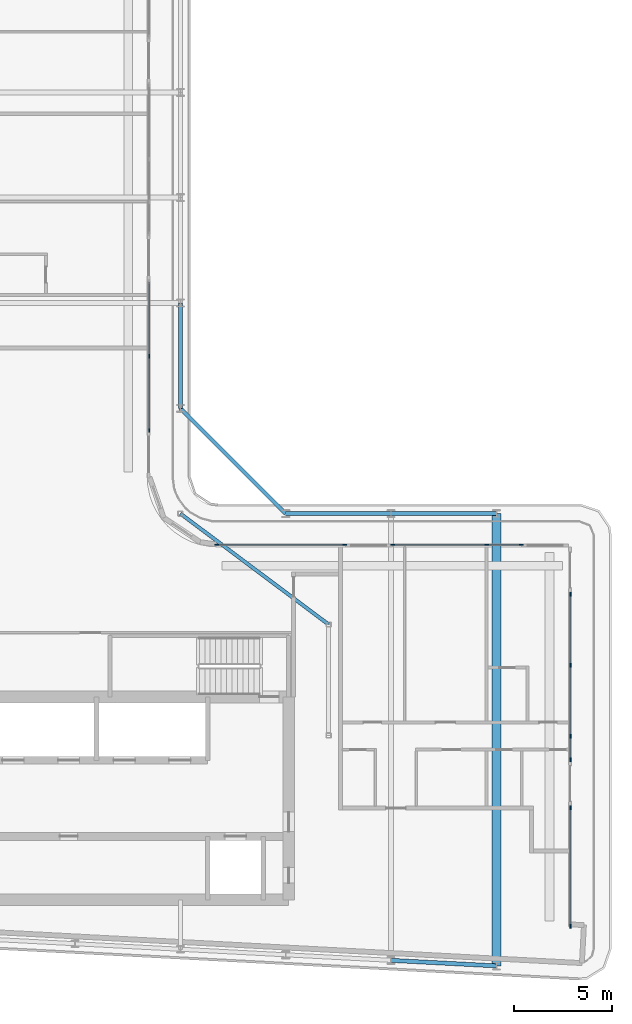
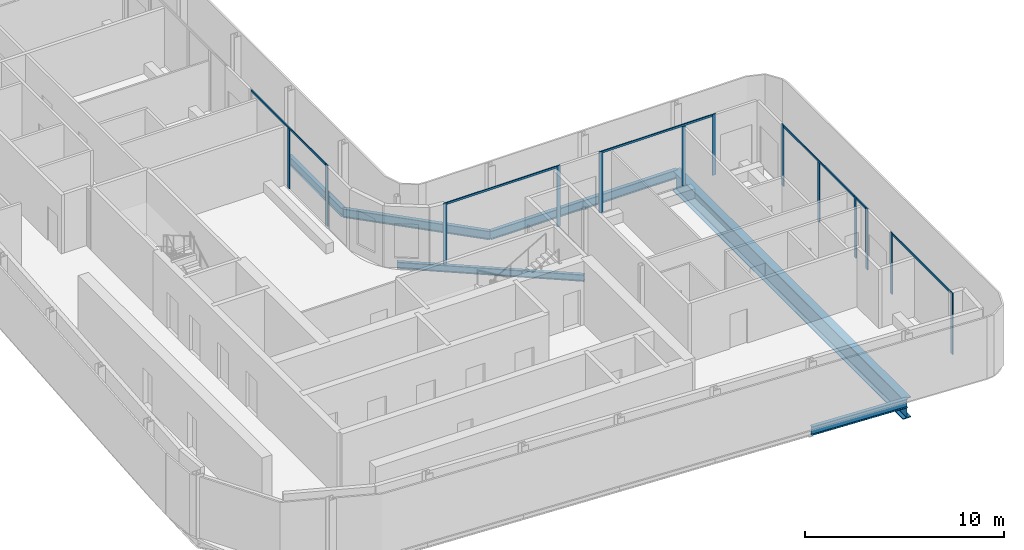
# One storey, part 6 of 21: 19 members, 7 beams, 6 elements without a shape of their own.
"""IFC4 building model written with IfcOpenShell, lengths in metres."""

from ifc_helpers import new_model, si_unit, direction, frame, origin, origin_2d, place, context, subcontext, project, spatial, rectangle, i_section, extrude, material, layer, layer_set, material_profile, profile_set, type_object, element, aggregate, save


model = new_model("IFC4")

# Units and contexts
model_context = context("Model", 3, precision=1e-05, world=origin(), true_north=direction((0.0, 1.0)))
body_context = subcontext(model_context, "Body", "Model", "MODEL_VIEW")
ifc_project = project(units=[si_unit("LENGTHUNIT", "METRE"), si_unit("AREAUNIT", "SQUARE_METRE"), si_unit("VOLUMEUNIT", "CUBIC_METRE"), si_unit("PLANEANGLEUNIT", "RADIAN"), si_unit("MASSUNIT", "GRAM", prefix="KILO")], contexts=[model_context])

# Site, building, storey
site_placement = place(None, origin())
site = spatial("IfcSite", under=ifc_project, at=site_placement, CompositionType="ELEMENT")
building_placement = place(site_placement, origin())
building = spatial("IfcBuilding", under=site, at=building_placement, Name="Kheshtan School and Residences Tower", CompositionType="ELEMENT")
storey_placement = place(building_placement, frame((0.0, 0.0, 298.10009765625)))
storey = spatial("IfcBuildingStorey", under=building, at=storey_placement, Name="L70", CompositionType="ELEMENT", Elevation=298.10009765625)

# Beams
ifc_material_1 = material(Name="Steel ASTM A992 Grade 50", Category="steel")
ifc_material_profile_1 = material_profile(ifc_material_1, i_section(OverallWidth=0.180908203125, OverallDepth=0.4169921875, WebThickness=0.010986328125, FlangeThickness=0.018310546875, FilletRadius=0.012451171875, at=origin_2d()), Name="W410x85")
ifc_profile_set_1 = profile_set([ifc_material_profile_1], Name="Steel ASTM A992 Grade 50")
beam_type_1 = type_object("IfcBeamType", Name="Beam FB3 W410x85 ASTM A992 Grade 50", PredefinedType="BEAM", material=ifc_profile_set_1)
beam_1_placement = place(storey_placement, frame((47.60009765625, 45.60009765625, -0.358642578125), z_axis=(0.800798828004, -0.598933416222, 0.0), x_axis=(0.598933416222, 0.800798828004, 0.0)))
element("IfcBeam", 1, at=beam_1_placement, inside=storey, type_object=beam_type_1, Name="Floor beam IC", PredefinedType="BEAM", context=body_context, shape_type="SweptSolid", body=[
    extrude(i_section(OverallWidth=0.180908203125, OverallDepth=0.4169921875, WebThickness=0.010986328125, FlangeThickness=0.018310546875, FilletRadius=0.012451171875, at=origin_2d()), origin(), (0.0, 0.0, 1.0), 9.490234375),
])
ifc_material_profile_2 = material_profile(ifc_material_1, i_section(OverallWidth=0.208984375, OverallDepth=0.532958984375, WebThickness=0.01025390625, FlangeThickness=0.015625, FilletRadius=0.013916015625, at=origin_2d()), Name="W530x92")
ifc_profile_set_2 = profile_set([ifc_material_profile_2], Name="Steel ASTM A992 Grade 50")
beam_type_2 = type_object("IfcBeamType", Name="Beam SP3 W530x92 ASTM A992 Grade 50", PredefinedType="BEAM", material=ifc_profile_set_2)
beam_2_placement = place(storey_placement, frame((47.60009765625, 56.39990234375, -0.41650390625), z_axis=(0.0, -1.0, 0.0), x_axis=(1.0, 0.0, 0.0)))
element("IfcBeam", 2, at=beam_2_placement, inside=storey, type_object=beam_type_2, Name="Spandrel beam C081-C079", PredefinedType="BEAM", context=body_context, shape_type="SweptSolid", body=[
    extrude(i_section(OverallWidth=0.208984375, OverallDepth=0.532958984375, WebThickness=0.01025390625, FlangeThickness=0.015625, FilletRadius=0.013916015625, at=origin_2d()), origin(), (0.0, 0.0, 1.0), 5.39990234375),
])
beam_3_placement = place(storey_placement, frame((47.60009765625, 51.0, -0.41650390625), z_axis=(0.707106781187, -0.707106781187, 0.0), x_axis=(0.707106781187, 0.707106781187, 0.0)))
element("IfcBeam", 3, at=beam_3_placement, inside=storey, type_object=beam_type_2, Name="Spandrel beam C079-C061", PredefinedType="BEAM", context=body_context, shape_type="SweptSolid", body=[
    extrude(i_section(OverallWidth=0.208984375, OverallDepth=0.532958984375, WebThickness=0.01025390625, FlangeThickness=0.015625, FilletRadius=0.013916015625, at=origin_2d()), origin(), (0.0, 0.0, 1.0), 7.63671875),
])
beam_4_placement = place(storey_placement, frame((53.0, 45.60009765625, -0.41650390625), z_axis=(1.0, 0.0, 0.0), x_axis=(0.0, 1.0, 0.0)))
element("IfcBeam", 4, at=beam_4_placement, inside=storey, type_object=beam_type_2, Name="Spandrel beam C061-C062", PredefinedType="BEAM", context=body_context, shape_type="SweptSolid", body=[
    extrude(i_section(OverallWidth=0.208984375, OverallDepth=0.532958984375, WebThickness=0.01025390625, FlangeThickness=0.015625, FilletRadius=0.013916015625, at=origin_2d()), origin(), (0.0, 0.0, 1.0), 5.39990234375),
])
beam_5_placement = place(storey_placement, frame((58.39990234375, 45.60009765625, -0.41650390625), z_axis=(1.0, 0.0, 0.0), x_axis=(0.0, 1.0, 0.0)))
element("IfcBeam", 5, at=beam_5_placement, inside=storey, type_object=beam_type_2, Name="Spandrel beam C062-C063", PredefinedType="BEAM", context=body_context, shape_type="SweptSolid", body=[
    extrude(i_section(OverallWidth=0.208984375, OverallDepth=0.532958984375, WebThickness=0.01025390625, FlangeThickness=0.015625, FilletRadius=0.013916015625, at=origin_2d()), origin(), (0.0, 0.0, 1.0), 5.400146484375),
])
beam_6_placement = place(storey_placement, frame((63.800048828125, 22.410888671875, -0.41650390625), z_axis=(-0.998618203458, 0.052551724256, 0.0), x_axis=(-0.052551724256, -0.998618203458, 0.0)))
element("IfcBeam", 6, at=beam_6_placement, inside=storey, type_object=beam_type_2, Name="Spandrel beam C016-C018", PredefinedType="BEAM", context=body_context, shape_type="SweptSolid", body=[
    extrude(i_section(OverallWidth=0.208984375, OverallDepth=0.532958984375, WebThickness=0.01025390625, FlangeThickness=0.015625, FilletRadius=0.013916015625, at=origin_2d()), origin(), (0.0, 0.0, 1.0), 5.40771484375),
])

# Curtain wall, members
ifc_material_2 = material(Name="Clear low-e glass in thermally broken aluminium frame", Category="aluminium")
ifc_layer = layer(ifc_material_2, 0.199951171875)
ifc_layer_set = layer_set([ifc_layer], Name="Curtain wall CW-L")
curtain_wall_type = type_object("IfcCurtainWallType", Name="Curtain wall CW-L", PredefinedType="NOTDEFINED", material=ifc_layer_set)
curtain_wall_1_placement = place(storey_placement, origin())
curtain_wall_1 = element("IfcCurtainWall", 7, at=curtain_wall_1_placement, inside=storey, type_object=curtain_wall_type, Name="Curtain wall CWL8", PredefinedType="NOTDEFINED")
ifc_material_3 = material(Name="Thermally broken aluminium, dark bronze anodised", Category="aluminium")
ifc_material_profile_3 = material_profile(ifc_material_3, rectangle(XDim=0.06005859375, YDim=0.199951171875, at=origin_2d()), Name="CW-L mullion 60x200")
ifc_profile_set_3 = profile_set([ifc_material_profile_3], Name="Thermally broken aluminium, dark bronze anodised")
member_type_1 = type_object("IfcMemberType", Name="CW-L mullion 60x200", PredefinedType="MULLION", material=ifc_profile_set_3)
member_1_placement = place(storey_placement, frame((46.0, 53.677001953125, 0.0), z_axis=(0.0, 0.0, 1.0), x_axis=(1.0, 0.0, 0.0)))
member_1 = element("IfcMember", 8, at=member_1_placement, type_object=member_type_1, Name="CWL8 mullion 2", PredefinedType="MULLION", context=body_context, shape_type="SweptSolid", body=[
    extrude(rectangle(XDim=0.06005859375, YDim=0.199951171875, at=origin_2d()), origin(), (0.0, 0.0, 1.0), 3.6298828125),
])
member_2_placement = place(storey_placement, frame((46.0, 49.860107421875, 0.0), z_axis=(0.0, 0.0, 1.0), x_axis=(1.0, 0.0, 0.0)))
member_2 = element("IfcMember", 9, at=member_2_placement, type_object=member_type_1, Name="CWL8 mullion 3", PredefinedType="MULLION", context=body_context, shape_type="SweptSolid", body=[
    extrude(rectangle(XDim=0.06005859375, YDim=0.199951171875, at=origin_2d()), origin(), (0.0, 0.0, 1.0), 3.75),
])

curtain_wall_2_placement = place(storey_placement, origin())
curtain_wall_2 = element("IfcCurtainWall", 10, at=curtain_wall_2_placement, inside=storey, type_object=curtain_wall_type, Name="Curtain wall CWL1233", PredefinedType="NOTDEFINED")
member_3_placement = place(storey_placement, frame((49.4599609375, 44.0, 0.0), z_axis=(0.0, 0.0, 1.0), x_axis=(0.0, 1.0, 0.0)))
member_3 = element("IfcMember", 11, at=member_3_placement, type_object=member_type_1, Name="CWL1233 mullion 1", PredefinedType="MULLION", context=body_context, shape_type="SweptSolid", body=[
    extrude(rectangle(XDim=0.06005859375, YDim=0.199951171875, at=origin_2d()), origin(), (0.0, 0.0, 1.0), 3.75),
])
member_4_placement = place(storey_placement, frame((56.034912109375, 44.0, 0.0), z_axis=(0.0, 0.0, 1.0), x_axis=(0.0, 1.0, 0.0)))
member_4 = element("IfcMember", 12, at=member_4_placement, type_object=member_type_1, Name="CWL1233 mullion 2", PredefinedType="MULLION", context=body_context, shape_type="SweptSolid", body=[
    extrude(rectangle(XDim=0.06005859375, YDim=0.199951171875, at=origin_2d()), origin(), (0.0, 0.0, 1.0), 3.75),
])

curtain_wall_3_placement = place(storey_placement, origin())
curtain_wall_3 = element("IfcCurtainWall", 13, at=curtain_wall_3_placement, inside=storey, type_object=curtain_wall_type, Name="Curtain wall CWL1234", PredefinedType="NOTDEFINED")
member_5_placement = place(storey_placement, frame((58.4951171875, 44.0, 0.0), z_axis=(0.0, 0.0, 1.0), x_axis=(0.0, 1.0, 0.0)))
member_5 = element("IfcMember", 14, at=member_5_placement, type_object=member_type_1, Name="CWL1234 mullion 1", PredefinedType="MULLION", context=body_context, shape_type="SweptSolid", body=[
    extrude(rectangle(XDim=0.06005859375, YDim=0.199951171875, at=origin_2d()), origin(), (0.0, 0.0, 1.0), 3.75),
])
member_6_placement = place(storey_placement, frame((63.300048828125, 44.0, 0.0), z_axis=(0.0, 0.0, 1.0), x_axis=(0.0, 1.0, 0.0)))
member_6 = element("IfcMember", 15, at=member_6_placement, type_object=member_type_1, Name="CWL1234 mullion 2", PredefinedType="MULLION", context=body_context, shape_type="SweptSolid", body=[
    extrude(rectangle(XDim=0.06005859375, YDim=0.199951171875, at=origin_2d()), origin(), (0.0, 0.0, 1.0), 3.6298828125),
])
member_7_placement = place(storey_placement, frame((65.070068359375, 44.0, 0.0), z_axis=(0.0, 0.0, 1.0), x_axis=(0.0, 1.0, 0.0)))
member_7 = element("IfcMember", 16, at=member_7_placement, type_object=member_type_1, Name="CWL1234 mullion 3", PredefinedType="MULLION", context=body_context, shape_type="SweptSolid", body=[
    extrude(rectangle(XDim=0.06005859375, YDim=0.199951171875, at=origin_2d()), origin(), (0.0, 0.0, 1.0), 3.75),
])

curtain_wall_4_placement = place(storey_placement, origin())
curtain_wall_4 = element("IfcCurtainWall", 17, at=curtain_wall_4_placement, inside=storey, type_object=curtain_wall_type, Name="Curtain wall CWL13e", PredefinedType="NOTDEFINED")
member_8_placement = place(storey_placement, frame((67.60009765625, 41.469970703125, 0.0), z_axis=(0.0, 0.0, 1.0), x_axis=(1.0, 0.0, 0.0)))
member_8 = element("IfcMember", 18, at=member_8_placement, type_object=member_type_1, Name="CWL13e mullion 1", PredefinedType="MULLION", context=body_context, shape_type="SweptSolid", body=[
    extrude(rectangle(XDim=0.06005859375, YDim=0.199951171875, at=origin_2d()), origin(), (0.0, 0.0, 1.0), 3.75),
])
member_9_placement = place(storey_placement, frame((67.60009765625, 37.829833984375, 0.0), z_axis=(0.0, 0.0, 1.0), x_axis=(1.0, 0.0, 0.0)))
member_9 = element("IfcMember", 19, at=member_9_placement, type_object=member_type_1, Name="CWL13e mullion 2", PredefinedType="MULLION", context=body_context, shape_type="SweptSolid", body=[
    extrude(rectangle(XDim=0.06005859375, YDim=0.199951171875, at=origin_2d()), origin(), (0.0, 0.0, 1.0), 3.6298828125),
])
member_10_placement = place(storey_placement, frame((67.60009765625, 34.189453125, 0.0), z_axis=(0.0, 0.0, 1.0), x_axis=(1.0, 0.0, 0.0)))
member_10 = element("IfcMember", 20, at=member_10_placement, type_object=member_type_1, Name="CWL13e mullion 3", PredefinedType="MULLION", context=body_context, shape_type="SweptSolid", body=[
    extrude(rectangle(XDim=0.06005859375, YDim=0.199951171875, at=origin_2d()), origin(), (0.0, 0.0, 1.0), 3.75),
])

# Curtain wall, member
curtain_wall_5_placement = place(storey_placement, origin())
curtain_wall_5 = element("IfcCurtainWall", 21, at=curtain_wall_5_placement, inside=storey, type_object=curtain_wall_type, Name="Curtain wall CWL13f", PredefinedType="NOTDEFINED")
member_11_placement = place(storey_placement, frame((67.60009765625, 32.989501953125, 0.0), z_axis=(0.0, 0.0, 1.0), x_axis=(1.0, 0.0, 0.0)))
member_11 = element("IfcMember", 22, at=member_11_placement, type_object=member_type_1, Name="CWL13f mullion 2", PredefinedType="MULLION", context=body_context, shape_type="SweptSolid", body=[
    extrude(rectangle(XDim=0.06005859375, YDim=0.199951171875, at=origin_2d()), origin(), (0.0, 0.0, 1.0), 3.75),
])

# Curtain wall, members
curtain_wall_6_placement = place(storey_placement, origin())
curtain_wall_6 = element("IfcCurtainWall", 23, at=curtain_wall_6_placement, inside=storey, type_object=curtain_wall_type, Name="Curtain wall CWL13g", PredefinedType="NOTDEFINED")
member_12_placement = place(storey_placement, frame((67.60009765625, 30.529541015625, 0.0), z_axis=(0.0, 0.0, 1.0), x_axis=(1.0, 0.0, 0.0)))
member_12 = element("IfcMember", 24, at=member_12_placement, type_object=member_type_1, Name="CWL13g mullion 1", PredefinedType="MULLION", context=body_context, shape_type="SweptSolid", body=[
    extrude(rectangle(XDim=0.06005859375, YDim=0.199951171875, at=origin_2d()), origin(), (0.0, 0.0, 1.0), 3.75),
])
member_13_placement = place(storey_placement, frame((67.60009765625, 24.448974609375, 0.0), z_axis=(0.0, 0.0, 1.0), x_axis=(1.0, 0.0, 0.0)))
member_13 = element("IfcMember", 25, at=member_13_placement, type_object=member_type_1, Name="CWL13g mullion 2", PredefinedType="MULLION", context=body_context, shape_type="SweptSolid", body=[
    extrude(rectangle(XDim=0.06005859375, YDim=0.199951171875, at=origin_2d()), origin(), (0.0, 0.0, 1.0), 3.75),
])

# Member
ifc_material_profile_4 = material_profile(ifc_material_3, rectangle(XDim=0.06005859375, YDim=0.1201171875, at=origin_2d()), Name="CW-L transom 60x120")
ifc_profile_set_4 = profile_set([ifc_material_profile_4], Name="Thermally broken aluminium, dark bronze anodised")
member_type_2 = type_object("IfcMemberType", Name="CW-L transom 60x120", PredefinedType="USERDEFINED", material=ifc_profile_set_4)
member_14_placement = place(storey_placement, frame((46.0, 57.464111328125, 3.68994140625), z_axis=(0.0, -1.0, 0.0), x_axis=(1.0, 0.0, 0.0)))
member_14 = element("IfcMember", 26, at=member_14_placement, type_object=member_type_2, Name="CWL8 transom 1", ObjectType="TRANSOM", PredefinedType="USERDEFINED", context=body_context, shape_type="SweptSolid", body=[
    extrude(rectangle(XDim=0.06005859375, YDim=0.1201171875, at=origin_2d()), origin(), (0.0, 0.0, 1.0), 7.57421875),
])

aggregate(curtain_wall_1, [member_1, member_2, member_14])

member_15_placement = place(storey_placement, frame((49.489990234375, 44.0, 3.68994140625), z_axis=(1.0, 0.0, 0.0), x_axis=(0.0, 1.0, 0.0)))
member_15 = element("IfcMember", 27, at=member_15_placement, type_object=member_type_2, Name="CWL1233 transom 1", ObjectType="TRANSOM", PredefinedType="USERDEFINED", context=body_context, shape_type="SweptSolid", body=[
    extrude(rectangle(XDim=0.06005859375, YDim=0.1201171875, at=origin_2d()), origin(), (0.0, 0.0, 1.0), 6.514892578125),
])

aggregate(curtain_wall_2, [member_3, member_4, member_15])

member_16_placement = place(storey_placement, frame((58.52490234375, 44.0, 3.68994140625), z_axis=(1.0, 0.0, 0.0), x_axis=(0.0, 1.0, 0.0)))
member_16 = element("IfcMember", 28, at=member_16_placement, type_object=member_type_2, Name="CWL1234 transom 1", ObjectType="TRANSOM", PredefinedType="USERDEFINED", context=body_context, shape_type="SweptSolid", body=[
    extrude(rectangle(XDim=0.06005859375, YDim=0.1201171875, at=origin_2d()), origin(), (0.0, 0.0, 1.0), 6.51513671875),
])

aggregate(curtain_wall_3, [member_5, member_6, member_7, member_16])

member_17_placement = place(storey_placement, frame((67.60009765625, 41.43994140625, 3.68994140625), z_axis=(0.0, -1.0, 0.0), x_axis=(1.0, 0.0, 0.0)))
member_17 = element("IfcMember", 29, at=member_17_placement, type_object=member_type_2, Name="CWL13e transom 1", ObjectType="TRANSOM", PredefinedType="USERDEFINED", context=body_context, shape_type="SweptSolid", body=[
    extrude(rectangle(XDim=0.06005859375, YDim=0.1201171875, at=origin_2d()), origin(), (0.0, 0.0, 1.0), 7.220458984375),
])

aggregate(curtain_wall_4, [member_8, member_9, member_10, member_17])

member_18_placement = place(storey_placement, frame((67.60009765625, 34.159423828125, 3.68994140625), z_axis=(0.0, -1.0, 0.0), x_axis=(1.0, 0.0, 0.0)))
member_18 = element("IfcMember", 30, at=member_18_placement, type_object=member_type_2, Name="CWL13f transom 1", ObjectType="TRANSOM", PredefinedType="USERDEFINED", context=body_context, shape_type="SweptSolid", body=[
    extrude(rectangle(XDim=0.06005859375, YDim=0.1201171875, at=origin_2d()), origin(), (0.0, 0.0, 1.0), 1.139892578125),
])

aggregate(curtain_wall_5, [member_11, member_18])

member_19_placement = place(storey_placement, frame((67.60009765625, 30.49951171875, 3.68994140625), z_axis=(0.0, -1.0, 0.0), x_axis=(1.0, 0.0, 0.0)))
member_19 = element("IfcMember", 31, at=member_19_placement, type_object=member_type_2, Name="CWL13g transom 1", ObjectType="TRANSOM", PredefinedType="USERDEFINED", context=body_context, shape_type="SweptSolid", body=[
    extrude(rectangle(XDim=0.06005859375, YDim=0.1201171875, at=origin_2d()), origin(), (0.0, 0.0, 1.0), 6.0205078125),
])

aggregate(curtain_wall_6, [member_12, member_13, member_19])

# Beam
ifc_material_profile_5 = material_profile(ifc_material_1, i_section(OverallWidth=0.449951171875, OverallDepth=1.25, WebThickness=0.02490234375, FlangeThickness=0.044921875, FilletRadius=0.03759765625, at=origin_2d()), Name="WWF1250x546")
ifc_profile_set_5 = profile_set([ifc_material_profile_5], Name="Steel ASTM A992 Grade 50")
beam_type_3 = type_object("IfcBeamType", Name="Transfer girder TG4 WWF1250x546 ASTM A992 Grade 50", PredefinedType="BEAM", material=ifc_profile_set_5)
beam_7_placement = place(storey_placement, frame((63.800048828125, 45.60009765625, -0.775146484375), z_axis=(0.0, -1.0, 0.0), x_axis=(1.0, 0.0, 0.0)))
element("IfcBeam", 32, at=beam_7_placement, inside=storey, type_object=beam_type_3, Name="Transfer girder C063-C016", PredefinedType="BEAM", context=body_context, shape_type="SweptSolid", body=[
    extrude(i_section(OverallWidth=0.449951171875, OverallDepth=1.25, WebThickness=0.02490234375, FlangeThickness=0.044921875, FilletRadius=0.03759765625, at=origin_2d()), origin(), (0.0, 0.0, 1.0), 23.189208984375),
])

save(model, "model.ifc")
